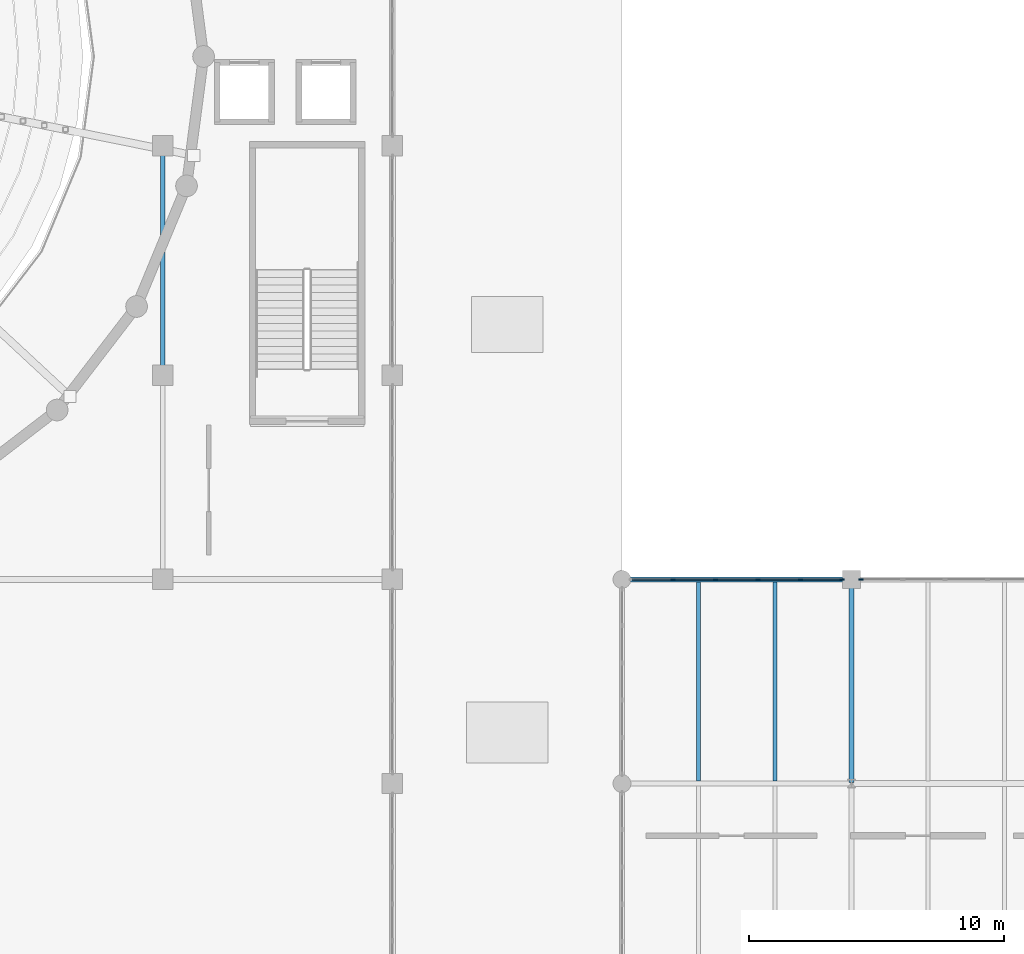
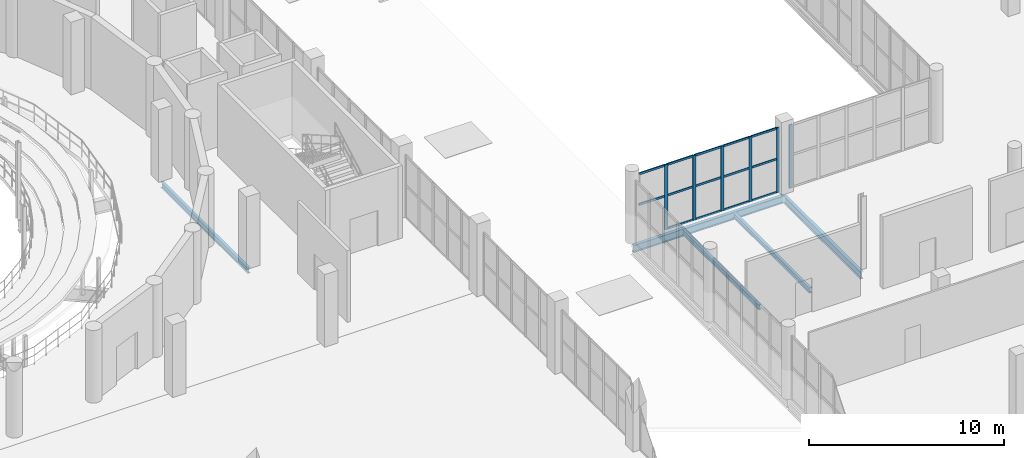
# One storey, part 39 of 93: 20 members, 5 beams, 2 elements without a shape of their own.
"""IFC4 building model written with IfcOpenShell, lengths in metres."""

from ifc_helpers import new_model, si_unit, direction, frame, origin, origin_2d, place, context, subcontext, project, spatial, rectangle, i_section, extrude, material, layer, layer_set, material_profile, profile_set, type_object, element, aggregate, save


model = new_model("IFC4")

# Units and contexts
model_context = context("Model", 3, precision=1e-05, world=origin(), true_north=direction((0.0, 1.0)))
body_context = subcontext(model_context, "Body", "Model", "MODEL_VIEW")
ifc_project = project(units=[si_unit("LENGTHUNIT", "METRE"), si_unit("AREAUNIT", "SQUARE_METRE"), si_unit("VOLUMEUNIT", "CUBIC_METRE"), si_unit("PLANEANGLEUNIT", "RADIAN"), si_unit("MASSUNIT", "GRAM", prefix="KILO")], contexts=[model_context])

# Site, building, storey
site_placement = place(None, origin())
site = spatial("IfcSite", under=ifc_project, at=site_placement, CompositionType="ELEMENT")
building_placement = place(site_placement, origin())
building = spatial("IfcBuilding", under=site, at=building_placement, Name="Marnock Terrace Opera House", CompositionType="ELEMENT")
storey_placement = place(building_placement, frame((0.0, 0.0, 5.39990234375)))
storey = spatial("IfcBuildingStorey", under=building, at=storey_placement, Name="L01", CompositionType="ELEMENT", Elevation=5.39990234375)

# Beams
ifc_material_1 = material(Name="Steel Grade 350 (AS/NZS 3679.1)", Category="steel")
ifc_material_profile_1 = material_profile(ifc_material_1, i_section(OverallWidth=0.1708984375, OverallDepth=0.355712890625, WebThickness=0.00732421875, FlangeThickness=0.011474609375, FilletRadius=0.011474609375, at=origin_2d()))
ifc_profile_set_1 = profile_set([ifc_material_profile_1], Name="Steel Grade 350 (AS/NZS 3679.1)")
beam_type_1 = type_object("IfcBeamType", Name="BM-GIRD-360", PredefinedType="BEAM", material=ifc_profile_set_1)
beam_1_placement = place(storey_placement, frame((100.0, 48.050048828125, -0.457763671875), z_axis=(0.0, 1.0, 0.0), x_axis=(-1.0, 0.0, 0.0)))
element("IfcBeam", 1, at=beam_1_placement, inside=storey, type_object=beam_type_1, Name="L01 girder (X=100.0, 48.0..57.0)", PredefinedType="BEAM", context=body_context, shape_type="SweptSolid", body=[
    extrude(i_section(OverallWidth=0.1708984375, OverallDepth=0.355712890625, WebThickness=0.00732421875, FlangeThickness=0.011474609375, FilletRadius=0.011474609375, at=origin_2d()), origin(), (0.0, 0.0, 1.0), 8.89990234375),
])
ifc_material_profile_2 = material_profile(ifc_material_1, i_section(OverallWidth=0.19091796875, OverallDepth=0.46044921875, WebThickness=0.010009765625, FlangeThickness=0.01611328125, FilletRadius=0.011474609375, at=origin_2d()))
ifc_profile_set_2 = profile_set([ifc_material_profile_2], Name="Steel Grade 350 (AS/NZS 3679.1)")
beam_type_2 = type_object("IfcBeamType", Name="BM-GIRD-460A", PredefinedType="BEAM", material=ifc_profile_set_2)
beam_2_placement = place(storey_placement, frame((118.050048828125, 40.0, -0.510009765625), z_axis=(1.0, 0.0, 0.0), x_axis=(0.0, 1.0, 0.0)))
element("IfcBeam", 2, at=beam_2_placement, inside=storey, type_object=beam_type_2, Name="L01 girder (118.0..127.0, Y=40.0)", PredefinedType="BEAM", context=body_context, shape_type="SweptSolid", body=[
    extrude(i_section(OverallWidth=0.19091796875, OverallDepth=0.46044921875, WebThickness=0.010009765625, FlangeThickness=0.01611328125, FilletRadius=0.011474609375, at=origin_2d()), origin(), (0.0, 0.0, 1.0), 8.89990234375),
])
ifc_material_profile_3 = material_profile(ifc_material_1, i_section(OverallWidth=0.18994140625, OverallDepth=0.45751953125, WebThickness=0.009033203125, FlangeThickness=0.014404296875, FilletRadius=0.011474609375, at=origin_2d()))
ifc_profile_set_3 = profile_set([ifc_material_profile_3], Name="Steel Grade 350 (AS/NZS 3679.1)")
beam_type_3 = type_object("IfcBeamType", Name="BM-GIRD-460B", PredefinedType="BEAM", material=ifc_profile_set_3)
beam_3_placement = place(storey_placement, frame((127.0, 32.050048828125, -0.508544921875), z_axis=(0.0, 1.0, 0.0), x_axis=(-1.0, 0.0, 0.0)))
element("IfcBeam", 3, at=beam_3_placement, inside=storey, type_object=beam_type_3, Name="L01 girder (X=127.0, 32.0..40.0)", PredefinedType="BEAM", context=body_context, shape_type="SweptSolid", body=[
    extrude(i_section(OverallWidth=0.18994140625, OverallDepth=0.45751953125, WebThickness=0.009033203125, FlangeThickness=0.014404296875, FilletRadius=0.011474609375, at=origin_2d()), origin(), (0.0, 0.0, 1.0), 7.89990234375),
])
ifc_material_profile_4 = material_profile(ifc_material_1, i_section(OverallWidth=0.166015625, OverallDepth=0.30712890625, WebThickness=0.006591796875, FlangeThickness=0.01171875, FilletRadius=0.011474609375, at=origin_2d()))
ifc_profile_set_4 = profile_set([ifc_material_profile_4], Name="Steel Grade 350 (AS/NZS 3679.1)")
beam_type_4 = type_object("IfcBeamType", Name="BM-JOIST-310A", PredefinedType="JOIST", material=ifc_profile_set_4)
for number, where, z_axis, x_axis, name in (
    (4, (121.0, 32.099609375, -0.43359375), (0.0, 1.0, 0.0), (-1.0, 0.0, 0.0), "L01 secondary joist 13.4.1"),
    (5, (124.0, 32.099609375, -0.43359375), (0.0, 1.0, 0.0), (-1.0, 0.0, 0.0), "L01 secondary joist 13.4.2"),
):
    element("IfcBeam", number, at=place(storey_placement, frame(where, z_axis=z_axis, x_axis=x_axis)), inside=storey, type_object=beam_type_4, Name=name, PredefinedType="JOIST", context=body_context, shape_type="SweptSolid", body=[
        extrude(i_section(OverallWidth=0.166015625, OverallDepth=0.30712890625, WebThickness=0.006591796875, FlangeThickness=0.01171875, FilletRadius=0.011474609375, at=origin_2d()), origin(), (0.0, 0.0, 1.0), 7.809814453125),
    ])

# Curtain wall, members
ifc_material_2 = material(Name="Anodised architectural bronze aluminium framing", Category="aluminium")
ifc_layer = layer(ifc_material_2, 0.159912109375)
ifc_layer_set = layer_set([ifc_layer], Name="Anodised architectural bronze aluminium framing")
curtain_wall_type = type_object("IfcCurtainWallType", Name="CW-LOGGIA-86x45", PredefinedType="NOTDEFINED", material=ifc_layer_set)
curtain_wall_1_placement = place(storey_placement, origin())
curtain_wall_1 = element("IfcCurtainWall", 6, at=curtain_wall_1_placement, inside=storey, type_object=curtain_wall_type, Name="L01 glazed Beaux-Arts colonnade curtain wall CW-V5-L01-CS1", PredefinedType="NOTDEFINED")
ifc_material_profile_5 = material_profile(ifc_material_2, rectangle(XDim=0.06494140625, YDim=0.179931640625, at=origin_2d()))
ifc_profile_set_5 = profile_set([ifc_material_profile_5], Name="Anodised architectural bronze aluminium framing")
member_type_1 = type_object("IfcMemberType", Name="CWM-65x180", PredefinedType="MULLION", material=ifc_profile_set_5)
member_1_placement = place(storey_placement, frame((120.007568359375, 40.0, 0.0), z_axis=(0.0, 0.0, 1.0), x_axis=(0.0, 1.0, 0.0)))
member_1 = element("IfcMember", 7, at=member_1_placement, type_object=member_type_1, Name="CW-61 mullion 2", PredefinedType="MULLION", context=body_context, shape_type="SweptSolid", body=[
    extrude(rectangle(XDim=0.06494140625, YDim=0.179931640625, at=origin_2d()), origin(), (0.0, 0.0, 1.0), 4.0498046875),
])
member_2_placement = place(storey_placement, frame((121.669189453125, 40.0, 0.0), z_axis=(0.0, 0.0, 1.0), x_axis=(0.0, 1.0, 0.0)))
member_2 = element("IfcMember", 8, at=member_2_placement, type_object=member_type_1, Name="CW-61 mullion 3", PredefinedType="MULLION", context=body_context, shape_type="SweptSolid", body=[
    extrude(rectangle(XDim=0.06494140625, YDim=0.179931640625, at=origin_2d()), origin(), (0.0, 0.0, 1.0), 4.0498046875),
])
member_3_placement = place(storey_placement, frame((123.330810546875, 40.0, 0.0), z_axis=(0.0, 0.0, 1.0), x_axis=(0.0, 1.0, 0.0)))
member_3 = element("IfcMember", 9, at=member_3_placement, type_object=member_type_1, Name="CW-61 mullion 4", PredefinedType="MULLION", context=body_context, shape_type="SweptSolid", body=[
    extrude(rectangle(XDim=0.06494140625, YDim=0.179931640625, at=origin_2d()), origin(), (0.0, 0.0, 1.0), 4.0498046875),
])
member_4_placement = place(storey_placement, frame((124.992431640625, 40.0, 0.0), z_axis=(0.0, 0.0, 1.0), x_axis=(0.0, 1.0, 0.0)))
member_4 = element("IfcMember", 10, at=member_4_placement, type_object=member_type_1, Name="CW-61 mullion 5", PredefinedType="MULLION", context=body_context, shape_type="SweptSolid", body=[
    extrude(rectangle(XDim=0.06494140625, YDim=0.179931640625, at=origin_2d()), origin(), (0.0, 0.0, 1.0), 4.0498046875),
])
member_5_placement = place(storey_placement, frame((126.6240234375, 40.0, 0.0), z_axis=(0.0, 0.0, 1.0), x_axis=(0.0, 1.0, 0.0)))
member_5 = element("IfcMember", 11, at=member_5_placement, type_object=member_type_1, Name="CW-61 mullion 6", PredefinedType="MULLION", context=body_context, shape_type="SweptSolid", body=[
    extrude(rectangle(XDim=0.06494140625, YDim=0.179931640625, at=origin_2d()), origin(), (0.0, 0.0, 1.0), 4.0498046875),
])

# Curtain wall, member
curtain_wall_2_placement = place(storey_placement, origin())
curtain_wall_2 = element("IfcCurtainWall", 12, at=curtain_wall_2_placement, inside=storey, type_object=curtain_wall_type, Name="L01 glazed Beaux-Arts colonnade curtain wall CW-V5-L01-CS2", PredefinedType="NOTDEFINED")
member_6_placement = place(storey_placement, frame((127.3759765625, 40.0, 0.0), z_axis=(0.0, 0.0, 1.0), x_axis=(0.0, 1.0, 0.0)))
member_6 = element("IfcMember", 13, at=member_6_placement, type_object=member_type_1, Name="CW-61 mullion 1", PredefinedType="MULLION", context=body_context, shape_type="SweptSolid", body=[
    extrude(rectangle(XDim=0.06494140625, YDim=0.179931640625, at=origin_2d()), origin(), (0.0, 0.0, 1.0), 3.97705078125),
])
aggregate(curtain_wall_2, [member_6])

# Member
ifc_material_profile_6 = material_profile(ifc_material_2, rectangle(XDim=0.06005859375, YDim=0.1298828125, at=origin_2d()))
ifc_profile_set_6 = profile_set([ifc_material_profile_6], Name="Anodised architectural bronze aluminium framing")
member_type_2 = type_object("IfcMemberType", Name="CWT-60x130", PredefinedType="USERDEFINED", material=ifc_profile_set_6)
member_7_placement = place(storey_placement, frame((118.406005859375, 40.0, 2.10595703125), z_axis=(1.0, 0.0, 0.0), x_axis=(0.0, 1.0, 0.0)))
member_7 = element("IfcMember", 14, at=member_7_placement, type_object=member_type_2, Name="CW-61 transom 1.2", ObjectType="TRANSOM", PredefinedType="USERDEFINED", context=body_context, shape_type="SweptSolid", body=[
    extrude(rectangle(XDim=0.06005859375, YDim=0.1298828125, at=origin_2d()), origin(), (0.0, 0.0, 1.0), 1.571533203125),
])

member_8_placement = place(storey_placement, frame((118.406005859375, 40.0, 4.019775390625), z_axis=(1.0, 0.0, 0.0), x_axis=(0.0, 1.0, 0.0)))
member_8 = element("IfcMember", 15, at=member_8_placement, type_object=member_type_2, Name="CW-61 transom 1.3", ObjectType="TRANSOM", PredefinedType="USERDEFINED", context=body_context, shape_type="SweptSolid", body=[
    extrude(rectangle(XDim=0.06005859375, YDim=0.1298828125, at=origin_2d()), origin(), (0.0, 0.0, 1.0), 1.571533203125),
])

member_9_placement = place(storey_placement, frame((120.03759765625, 40.0, 0.030029296875), z_axis=(1.0, 0.0, 0.0), x_axis=(0.0, 1.0, 0.0)))
member_9 = element("IfcMember", 16, at=member_9_placement, type_object=member_type_2, Name="CW-61 transom 2.1", ObjectType="TRANSOM", PredefinedType="USERDEFINED", context=body_context, shape_type="SweptSolid", body=[
    extrude(rectangle(XDim=0.06005859375, YDim=0.1298828125, at=origin_2d()), origin(), (0.0, 0.0, 1.0), 1.6015625),
])

member_10_placement = place(storey_placement, frame((120.03759765625, 40.0, 2.10595703125), z_axis=(1.0, 0.0, 0.0), x_axis=(0.0, 1.0, 0.0)))
member_10 = element("IfcMember", 17, at=member_10_placement, type_object=member_type_2, Name="CW-61 transom 2.2", ObjectType="TRANSOM", PredefinedType="USERDEFINED", context=body_context, shape_type="SweptSolid", body=[
    extrude(rectangle(XDim=0.06005859375, YDim=0.1298828125, at=origin_2d()), origin(), (0.0, 0.0, 1.0), 1.6015625),
])

member_11_placement = place(storey_placement, frame((120.03759765625, 40.0, 4.019775390625), z_axis=(1.0, 0.0, 0.0), x_axis=(0.0, 1.0, 0.0)))
member_11 = element("IfcMember", 18, at=member_11_placement, type_object=member_type_2, Name="CW-61 transom 2.3", ObjectType="TRANSOM", PredefinedType="USERDEFINED", context=body_context, shape_type="SweptSolid", body=[
    extrude(rectangle(XDim=0.06005859375, YDim=0.1298828125, at=origin_2d()), origin(), (0.0, 0.0, 1.0), 1.6015625),
])

member_12_placement = place(storey_placement, frame((121.69921875, 40.0, 0.030029296875), z_axis=(1.0, 0.0, 0.0), x_axis=(0.0, 1.0, 0.0)))
member_12 = element("IfcMember", 19, at=member_12_placement, type_object=member_type_2, Name="CW-61 transom 3.1", ObjectType="TRANSOM", PredefinedType="USERDEFINED", context=body_context, shape_type="SweptSolid", body=[
    extrude(rectangle(XDim=0.06005859375, YDim=0.1298828125, at=origin_2d()), origin(), (0.0, 0.0, 1.0), 1.6015625),
])

member_13_placement = place(storey_placement, frame((121.69921875, 40.0, 2.10595703125), z_axis=(1.0, 0.0, 0.0), x_axis=(0.0, 1.0, 0.0)))
member_13 = element("IfcMember", 20, at=member_13_placement, type_object=member_type_2, Name="CW-61 transom 3.2", ObjectType="TRANSOM", PredefinedType="USERDEFINED", context=body_context, shape_type="SweptSolid", body=[
    extrude(rectangle(XDim=0.06005859375, YDim=0.1298828125, at=origin_2d()), origin(), (0.0, 0.0, 1.0), 1.6015625),
])

member_14_placement = place(storey_placement, frame((121.69921875, 40.0, 4.019775390625), z_axis=(1.0, 0.0, 0.0), x_axis=(0.0, 1.0, 0.0)))
member_14 = element("IfcMember", 21, at=member_14_placement, type_object=member_type_2, Name="CW-61 transom 3.3", ObjectType="TRANSOM", PredefinedType="USERDEFINED", context=body_context, shape_type="SweptSolid", body=[
    extrude(rectangle(XDim=0.06005859375, YDim=0.1298828125, at=origin_2d()), origin(), (0.0, 0.0, 1.0), 1.6015625),
])

member_15_placement = place(storey_placement, frame((123.36083984375, 40.0, 0.030029296875), z_axis=(1.0, 0.0, 0.0), x_axis=(0.0, 1.0, 0.0)))
member_15 = element("IfcMember", 22, at=member_15_placement, type_object=member_type_2, Name="CW-61 transom 4.1", ObjectType="TRANSOM", PredefinedType="USERDEFINED", context=body_context, shape_type="SweptSolid", body=[
    extrude(rectangle(XDim=0.06005859375, YDim=0.1298828125, at=origin_2d()), origin(), (0.0, 0.0, 1.0), 1.6015625),
])

member_16_placement = place(storey_placement, frame((123.36083984375, 40.0, 2.10595703125), z_axis=(1.0, 0.0, 0.0), x_axis=(0.0, 1.0, 0.0)))
member_16 = element("IfcMember", 23, at=member_16_placement, type_object=member_type_2, Name="CW-61 transom 4.2", ObjectType="TRANSOM", PredefinedType="USERDEFINED", context=body_context, shape_type="SweptSolid", body=[
    extrude(rectangle(XDim=0.06005859375, YDim=0.1298828125, at=origin_2d()), origin(), (0.0, 0.0, 1.0), 1.6015625),
])

member_17_placement = place(storey_placement, frame((123.36083984375, 40.0, 4.019775390625), z_axis=(1.0, 0.0, 0.0), x_axis=(0.0, 1.0, 0.0)))
member_17 = element("IfcMember", 24, at=member_17_placement, type_object=member_type_2, Name="CW-61 transom 4.3", ObjectType="TRANSOM", PredefinedType="USERDEFINED", context=body_context, shape_type="SweptSolid", body=[
    extrude(rectangle(XDim=0.06005859375, YDim=0.1298828125, at=origin_2d()), origin(), (0.0, 0.0, 1.0), 1.6015625),
])

member_18_placement = place(storey_placement, frame((125.0224609375, 40.0, 0.030029296875), z_axis=(1.0, 0.0, 0.0), x_axis=(0.0, 1.0, 0.0)))
member_18 = element("IfcMember", 25, at=member_18_placement, type_object=member_type_2, Name="CW-61 transom 5.1", ObjectType="TRANSOM", PredefinedType="USERDEFINED", context=body_context, shape_type="SweptSolid", body=[
    extrude(rectangle(XDim=0.06005859375, YDim=0.1298828125, at=origin_2d()), origin(), (0.0, 0.0, 1.0), 1.571533203125),
])

member_19_placement = place(storey_placement, frame((125.0224609375, 40.0, 2.10595703125), z_axis=(1.0, 0.0, 0.0), x_axis=(0.0, 1.0, 0.0)))
member_19 = element("IfcMember", 26, at=member_19_placement, type_object=member_type_2, Name="CW-61 transom 5.2", ObjectType="TRANSOM", PredefinedType="USERDEFINED", context=body_context, shape_type="SweptSolid", body=[
    extrude(rectangle(XDim=0.06005859375, YDim=0.1298828125, at=origin_2d()), origin(), (0.0, 0.0, 1.0), 1.571533203125),
])

member_20_placement = place(storey_placement, frame((125.0224609375, 40.0, 4.019775390625), z_axis=(1.0, 0.0, 0.0), x_axis=(0.0, 1.0, 0.0)))
member_20 = element("IfcMember", 27, at=member_20_placement, type_object=member_type_2, Name="CW-61 transom 5.3", ObjectType="TRANSOM", PredefinedType="USERDEFINED", context=body_context, shape_type="SweptSolid", body=[
    extrude(rectangle(XDim=0.06005859375, YDim=0.1298828125, at=origin_2d()), origin(), (0.0, 0.0, 1.0), 1.571533203125),
])

aggregate(curtain_wall_1, [member_1, member_2, member_3, member_4, member_5, member_7, member_8, member_9, member_10, member_11, member_12, member_13, member_14, member_15, member_16, member_17, member_18, member_19, member_20])

save(model, "model.ifc")
